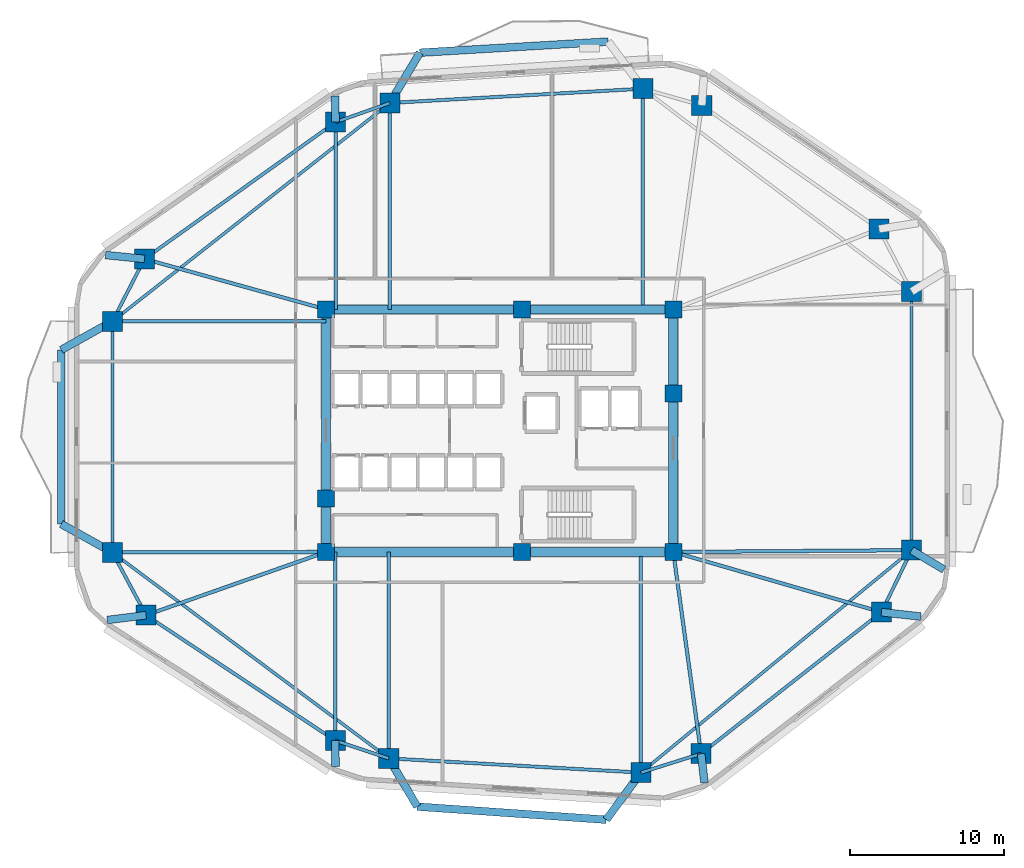
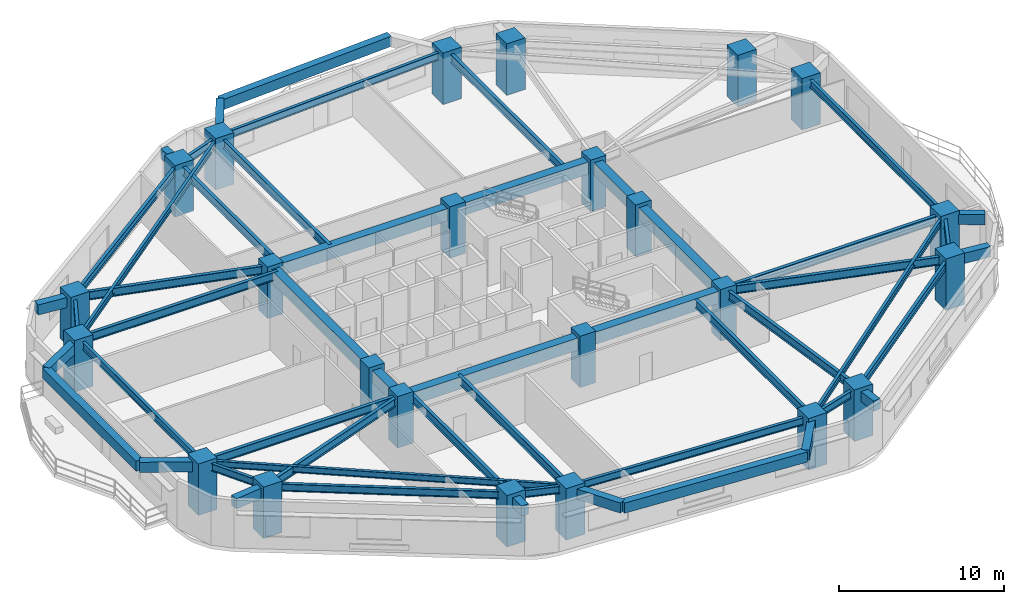
# One storey, part 1 of 9: 52 beams, 24 columns.
"""IFC4 building model written with IfcOpenShell, lengths in metres."""

import ifcopenshell
import ifcopenshell.guid

model = None  # the IFC model being written
_history = None  # IfcOwnerHistory: only IFC2X3 demands one
_inside = {}  # id of a spatial element -> (the spatial element, [elements in it])
_under = {}  # id of a project, library or spatial element -> (it, [spatial elements below it])
_declared = {}  # id of a project -> (the project, [libraries it declares])
_typed = {}  # id of a type object -> (the type object, [elements of that type])
_made_of = {}  # id of a material, layer set ... -> (it, [elements and type objects made of it])


def new_model(schema):
    """Start an empty IFC model of exactly this schema.

    Asked for "IFC4X3", IfcOpenShell would pick the latest addendum, in which some entities
    have other attributes; the version numbers below select the first issue.
    IFC2X3 requires an IfcOwnerHistory on every rooted entity: one is made here for all.
    """
    global model, _history
    if schema == "IFC4X3":
        model = ifcopenshell.file(schema_version=(4, 3, 0, 0))
    else:
        model = ifcopenshell.file(schema=schema)
    _inside.clear()
    _under.clear()
    _declared.clear()
    _typed.clear()
    _made_of.clear()
    _history = None
    if model.schema == "IFC2X3":
        org = make("IfcOrganization", Name="unknown")
        user = make(
            "IfcPersonAndOrganization",
            ThePerson=make("IfcPerson", FamilyName="unknown"),
            TheOrganization=org,
        )
        app = make(
            "IfcApplication",
            ApplicationDeveloper=org,
            Version="unknown",
            ApplicationFullName="unknown",
            ApplicationIdentifier="unknown",
        )
        _history = make(
            "IfcOwnerHistory",
            OwningUser=user,
            OwningApplication=app,
            ChangeAction="ADDED",
            CreationDate=0,
        )
    return model


def make(cls, **values):
    """One entity of the class cls with the attributes given. An attribute that is None is left unset."""
    return model.create_entity(
        cls, **{name: value for name, value in values.items() if value is not None}
    )


def rooted(cls, **values):
    """An entity with a GlobalId (a new one), such as an element, a storey or a relation."""
    return make(cls, GlobalId=ifcopenshell.guid.new(), OwnerHistory=_history, **values)


def si_unit(unit_type, name, prefix=None):
    """IfcSIUnit, for example si_unit("LENGTHUNIT", "METRE", prefix="MILLI")."""
    return make("IfcSIUnit", UnitType=unit_type, Prefix=prefix, Name=name)


def assignment(units):
    """IfcUnitAssignment: the units of a project."""
    return None if units is None else make("IfcUnitAssignment", Units=units)


def point(xyz):
    """IfcCartesianPoint."""
    return None if xyz is None else make("IfcCartesianPoint", Coordinates=xyz)


def direction(xyz):
    """IfcDirection."""
    return None if xyz is None else make("IfcDirection", DirectionRatios=xyz)


def frame(location, z_axis=None, x_axis=None):
    """IfcAxis2Placement3D, a coordinate frame: its origin and axes. An axis left out is left unset."""
    return make(
        "IfcAxis2Placement3D",
        Location=point(location),
        Axis=direction(z_axis),
        RefDirection=direction(x_axis),
    )


def frame_2d(location, x_axis=None):
    """IfcAxis2Placement2D, a coordinate frame in the plane: its origin and x axis."""
    return make(
        "IfcAxis2Placement2D", Location=point(location), RefDirection=direction(x_axis)
    )


def origin():
    """The frame at (0, 0, 0) with its axes left unset."""
    return frame((0.0, 0.0, 0.0))


def origin_2d():
    """The frame at (0, 0) in the plane with its x axis left unset."""
    return frame_2d((0.0, 0.0))


def place(relative_to, where):
    """IfcLocalPlacement: puts the frame where relative to a parent placement (None: the world)."""
    return make(
        "IfcLocalPlacement", PlacementRelTo=relative_to, RelativePlacement=where
    )


def context(
    kind, dimensions, precision=None, world=None, true_north=None, identifier=None
):
    """IfcGeometricRepresentationContext, for example the 3D "Model" context."""
    return make(
        "IfcGeometricRepresentationContext",
        ContextIdentifier=identifier,
        ContextType=kind,
        CoordinateSpaceDimension=dimensions,
        Precision=precision,
        WorldCoordinateSystem=world,
        TrueNorth=true_north,
    )


def subcontext(parent, identifier, kind, view, scale=None):
    """IfcGeometricRepresentationSubContext, for example "Body" below "Model"."""
    return make(
        "IfcGeometricRepresentationSubContext",
        ContextIdentifier=identifier,
        ContextType=kind,
        ParentContext=parent,
        TargetScale=scale,
        TargetView=view,
    )


def project(units=None, contexts=None):
    """IfcProject with its units and contexts."""
    return rooted(
        "IfcProject",
        Name="project",
        RepresentationContexts=contexts,
        UnitsInContext=assignment(units),
    )


def spatial(cls, under=None, at=None, **own):
    """A site, building, storey or space (cls), placed at a placement, below another one or the project."""
    s = rooted(cls, ObjectPlacement=at, **own)
    if under is not None:
        _under.setdefault(under.id(), (under, []))[1].append(s)
    return s


def profile(cls, at=None, kind="AREA", **sizes):
    """A parametric profile (cls). Its sizes go by their IFC names, for example OverallWidth=200.0."""
    return make(cls, ProfileType=kind, Position=at, **sizes)


def rectangle(**sizes):
    """IfcRectangleProfileDef."""
    return profile("IfcRectangleProfileDef", **sizes)


def i_section(**sizes):
    """IfcIShapeProfileDef."""
    return profile("IfcIShapeProfileDef", **sizes)


def extrude(swept, where, along, depth):
    """IfcExtrudedAreaSolid: the profile swept, set in the frame where, extruded along a direction by depth."""
    return make(
        "IfcExtrudedAreaSolid",
        SweptArea=swept,
        Position=where,
        ExtrudedDirection=direction(along),
        Depth=depth,
    )


def shape(context_of_items, identifier, shape_type, items):
    """IfcShapeRepresentation: the items that make up one representation, for example the "Body"."""
    return make(
        "IfcShapeRepresentation",
        ContextOfItems=context_of_items,
        RepresentationIdentifier=identifier,
        RepresentationType=shape_type,
        Items=items,
    )


def material(Name=None, Category=None):
    """IfcMaterial."""
    return make("IfcMaterial", Name=Name, Category=Category)


def material_profile(
    of_material, cross_section, Name=None, Category=None, Priority=None
):
    """IfcMaterialProfile: a cross section and its material."""
    return make(
        "IfcMaterialProfile",
        Name=Name,
        Material=of_material,
        Profile=cross_section,
        Priority=Priority,
        Category=Category,
    )


def profile_set(profiles, Name=None, composite=None):
    """IfcMaterialProfileSet."""
    return make(
        "IfcMaterialProfileSet",
        Name=Name,
        MaterialProfiles=profiles,
        CompositeProfile=composite,
    )


def made_of(thing, what):
    """Note that an element or type object is made of a material, layer set ...; save() writes the relation."""
    if what is not None:
        _made_of.setdefault(what.id(), (what, []))[1].append(thing)
    return thing


def type_object(cls, material=None, **own):
    """A type object (cls), such as IfcWallType, which elements share."""
    return made_of(rooted(cls, **own), material)


def element(
    cls,
    number,
    at=None,
    inside=None,
    cuts=None,
    type_object=None,
    material=None,
    context=None,
    identifier="Body",
    shape_type=None,
    held_by="IfcProductDefinitionShape",
    body=None,
    shapes=None,
    **own,
):
    """One element of the class cls, such as IfcWall. Its Tag is "e" and its number.

    at: its placement. inside: the storey or other place that contains it. cuts: it is an
    opening in that element (IfcRelVoidsElement). A single representation is given by context,
    identifier, shape_type and body (its items); several are given by shapes. held_by: the class
    of the entity that holds the representations. save() writes the other relations.
    """
    e = rooted(cls, Tag="e%d" % number, ObjectPlacement=at, **own)
    if body is not None:
        shapes = [shape(context, identifier, shape_type, body)]
    if shapes is not None:
        e.Representation = make(held_by, Representations=shapes)
    if inside is not None:
        _inside.setdefault(inside.id(), (inside, []))[1].append(e)
    if cuts is not None:
        rooted(
            "IfcRelVoidsElement", RelatingBuildingElement=cuts, RelatedOpeningElement=e
        )
    if type_object is not None:
        _typed.setdefault(type_object.id(), (type_object, []))[1].append(e)
    return made_of(e, material)


def aggregate(whole, parts):
    """IfcRelAggregates: a whole, such as a stair, and the parts it consists of."""
    return rooted("IfcRelAggregates", RelatingObject=whole, RelatedObjects=parts)


def save(model, path):
    """Write the relations noted so far, then the file.

    IfcRelAggregates (storeys below a building ...), IfcRelContainedInSpatialStructure (elements
    in a storey), IfcRelDefinesByType, IfcRelAssociatesMaterial and IfcRelDeclares: one each for
    every whole, place, type object, material and project.
    """
    for whole, parts in _under.values():
        aggregate(whole, parts)
    for where, things in _inside.values():
        rooted(
            "IfcRelContainedInSpatialStructure",
            RelatedElements=things,
            RelatingStructure=where,
        )
    for kind, things in _typed.values():
        rooted("IfcRelDefinesByType", RelatedObjects=things, RelatingType=kind)
    for what, things in _made_of.values():
        rooted("IfcRelAssociatesMaterial", RelatedObjects=things, RelatingMaterial=what)
    for by, libraries in _declared.values():
        rooted("IfcRelDeclares", RelatingContext=by, RelatedDefinitions=libraries)
    model.write(path)


model = new_model("IFC4")

# Units and contexts
model_context = context("Model", 3, precision=1e-05, world=origin(), true_north=direction((0.0, 1.0)))
body_context = subcontext(model_context, "Body", "Model", "MODEL_VIEW")
ifc_project = project(units=[si_unit("LENGTHUNIT", "METRE"), si_unit("AREAUNIT", "SQUARE_METRE"), si_unit("VOLUMEUNIT", "CUBIC_METRE"), si_unit("PLANEANGLEUNIT", "RADIAN"), si_unit("MASSUNIT", "GRAM", prefix="KILO")], contexts=[model_context])

# Site, building, storey
site_placement = place(None, origin())
site = spatial("IfcSite", under=ifc_project, at=site_placement, CompositionType="ELEMENT")
building_placement = place(site_placement, origin())
building = spatial("IfcBuilding", under=site, at=building_placement, Name="Zulverin Broadcast Headquarters", CompositionType="ELEMENT")
storey_placement = place(building_placement, frame((0.0, 0.0, 82.0)))
storey = spatial("IfcBuildingStorey", under=building, at=storey_placement, Name="L20", CompositionType="ELEMENT", Elevation=82.0)

# Columns
ifc_material_1 = material(Name="Concrete C60/75", Category="concrete")
ifc_material_profile_1 = material_profile(ifc_material_1, rectangle(XDim=1.300048828125, YDim=1.300048828125, at=origin_2d()), Name="Concrete C60/75", Category="concrete")
ifc_profile_set_1 = profile_set([ifc_material_profile_1], Name="Concrete C60/75")
column_type_1 = type_object("IfcColumnType", Name="COL-RC-1300", PredefinedType="COLUMN", material=ifc_profile_set_1)
for number, where, z_axis, x_axis, name in (
    (1, (29.79638671875, 3.922119140625, 0.0), (0.0, 0.0, 1.0), (1.0, 0.0, 0.0), "L20 Perimeter Column T01"),
    (2, (46.175048828125, 2.997802734375, 0.0), (0.0, 0.0, 1.0), (1.0, 0.0, 0.0), "L20 Perimeter Column T02"),
    (3, (50.08056640625, 4.22509765625, 0.0), (0.0, 0.0, 1.0), (1.0, 0.0, 0.0), "L20 Perimeter Column T03"),
    (4, (61.79296875, 13.416259765625, 0.0), (0.0, 0.0, 1.0), (1.0, 0.0, 0.0), "L20 Perimeter Column T04"),
    (5, (63.75, 17.439697265625, 0.0), (0.0, 0.0, 1.0), (1.0, 0.0, 0.0), "L20 Perimeter Column T05"),
    (6, (63.75, 34.235107421875, 0.0), (0.0, 0.0, 1.0), (1.0, 0.0, 0.0), "L20 Perimeter Column T06"),
    (7, (61.630126953125, 38.298583984375, 0.0), (0.0, 0.0, 1.0), (1.0, 0.0, 0.0), "L20 Perimeter Column T07"),
    (8, (50.121826171875, 46.325927734375, 0.0), (0.0, 0.0, 1.0), (1.0, 0.0, 0.0), "L20 Perimeter Column T08"),
    (9, (46.30224609375, 47.4091796875, 0.0), (0.0, 0.0, 1.0), (1.0, 0.0, 0.0), "L20 Perimeter Column T09"),
    (10, (29.873779296875, 46.482177734375, 0.0), (0.0, 0.0, 1.0), (1.0, 0.0, 0.0), "L20 Perimeter Column T10"),
    (11, (26.344482421875, 45.23828125, 0.0), (0.0, 0.0, 1.0), (1.0, 0.0, 0.0), "L20 Perimeter Column T11"),
    (12, (13.934326171875, 36.353759765625, 0.0), (0.0, 0.0, 1.0), (1.0, 0.0, 0.0), "L20 Perimeter Column T12"),
    (13, (11.85009765625, 32.298095703125, 0.0), (0.0, 0.0, 1.0), (1.0, 0.0, 0.0), "L20 Perimeter Column T13"),
    (14, (11.85009765625, 17.297607421875, 0.0), (0.0, 0.0, 1.0), (1.0, 0.0, 0.0), "L20 Perimeter Column T14"),
    (15, (14.0390625, 13.219970703125, 0.0), (0.0, 0.0, 1.0), (1.0, 0.0, 0.0), "L20 Perimeter Column T15"),
    (16, (26.3251953125, 5.075927734375, 0.0), (0.0, 0.0, 1.0), (1.0, 0.0, 0.0), "L20 Perimeter Column T16"),
):
    element("IfcColumn", number, at=place(storey_placement, frame(where, z_axis=z_axis, x_axis=x_axis)), inside=storey, type_object=column_type_1, Name=name, PredefinedType="COLUMN", context=body_context, shape_type="SweptSolid", body=[
        extrude(rectangle(XDim=1.300048828125, YDim=1.300048828125, at=origin_2d()), origin(), (0.0, 0.0, 1.0), 3.800048828125),
    ])
ifc_material_profile_2 = material_profile(ifc_material_1, rectangle(XDim=1.10009765625, YDim=1.10009765625, at=origin_2d()), Name="Concrete C60/75", Category="concrete")
ifc_profile_set_2 = profile_set([ifc_material_profile_2], Name="Concrete C60/75")
column_type_2 = type_object("IfcColumnType", Name="PIL-RC-1100", PredefinedType="PILASTER", material=ifc_profile_set_2)
for number, where, z_axis, x_axis, name in (
    (17, (25.72509765625, 17.324951171875, 0.0), (0.0, 0.0, 1.0), (1.0, 0.0, 0.0), "L20 Core Pilaster K01"),
    (18, (38.449951171875, 17.324951171875, 0.0), (0.0, 0.0, 1.0), (1.0, 0.0, 0.0), "L20 Core Pilaster K02"),
    (19, (48.27490234375, 17.324951171875, 0.0), (0.0, 0.0, 1.0), (1.0, 0.0, 0.0), "L20 Core Pilaster K03"),
    (20, (48.27490234375, 27.6201171875, 0.0), (0.0, 0.0, 1.0), (1.0, 0.0, 0.0), "L20 Core Pilaster K04"),
    (21, (48.27490234375, 33.074951171875, 0.0), (0.0, 0.0, 1.0), (1.0, 0.0, 0.0), "L20 Core Pilaster K05"),
    (22, (38.449951171875, 33.074951171875, 0.0), (0.0, 0.0, 1.0), (1.0, 0.0, 0.0), "L20 Core Pilaster K06"),
    (23, (25.72509765625, 33.074951171875, 0.0), (0.0, 0.0, 1.0), (1.0, 0.0, 0.0), "L20 Core Pilaster K07"),
    (24, (25.72509765625, 20.800048828125, 0.0), (0.0, 0.0, 1.0), (1.0, 0.0, 0.0), "L20 Core Pilaster K08"),
):
    element("IfcColumn", number, at=place(storey_placement, frame(where, z_axis=z_axis, x_axis=x_axis)), inside=storey, type_object=column_type_2, Name=name, PredefinedType="PILASTER", context=body_context, shape_type="SweptSolid", body=[
        extrude(rectangle(XDim=1.10009765625, YDim=1.10009765625, at=origin_2d()), origin(), (0.0, 0.0, 1.0), 3.800048828125),
    ])

# Beams
ifc_material_profile_3 = material_profile(ifc_material_1, rectangle(XDim=0.60009765625, YDim=0.89990234375, at=origin_2d()), Name="Concrete C60/75", Category="concrete")
ifc_profile_set_3 = profile_set([ifc_material_profile_3], Name="Concrete C60/75")
beam_type_1 = type_object("IfcBeamType", Name="BM-CB-600x900", PredefinedType="LINTEL", material=ifc_profile_set_3)
beam_1_placement = place(storey_placement, frame((25.72509765625, 17.324951171875, 3.074951171875), z_axis=(1.0, 0.0, 0.0), x_axis=(0.0, 1.0, 0.0)))
element("IfcBeam", 25, at=beam_1_placement, inside=storey, type_object=beam_type_1, Name="L20 Core Coupling Girder K01-K02", PredefinedType="LINTEL", context=body_context, shape_type="SweptSolid", body=[
    extrude(rectangle(XDim=0.60009765625, YDim=0.89990234375, at=origin_2d()), origin(), (0.0, 0.0, 1.0), 12.724853515625),
])
beam_2_placement = place(storey_placement, frame((38.449951171875, 17.324951171875, 3.074951171875), z_axis=(1.0, 0.0, 0.0), x_axis=(0.0, 1.0, 0.0)))
element("IfcBeam", 26, at=beam_2_placement, inside=storey, type_object=beam_type_1, Name="L20 Core Coupling Girder K02-K03", PredefinedType="LINTEL", context=body_context, shape_type="SweptSolid", body=[
    extrude(rectangle(XDim=0.60009765625, YDim=0.89990234375, at=origin_2d()), origin(), (0.0, 0.0, 1.0), 9.824951171875),
])
beam_3_placement = place(storey_placement, frame((48.27490234375, 17.324951171875, 3.074951171875), z_axis=(0.0, 1.0, 0.0), x_axis=(-1.0, 0.0, 0.0)))
element("IfcBeam", 27, at=beam_3_placement, inside=storey, type_object=beam_type_1, Name="L20 Core Coupling Girder K03-K04", PredefinedType="LINTEL", context=body_context, shape_type="SweptSolid", body=[
    extrude(rectangle(XDim=0.60009765625, YDim=0.89990234375, at=origin_2d()), origin(), (0.0, 0.0, 1.0), 10.295166015625),
])
beam_4_placement = place(storey_placement, frame((48.27490234375, 27.6201171875, 3.074951171875), z_axis=(0.0, 1.0, 0.0), x_axis=(-1.0, 0.0, 0.0)))
element("IfcBeam", 28, at=beam_4_placement, inside=storey, type_object=beam_type_1, Name="L20 Core Coupling Girder K04-K05", PredefinedType="LINTEL", context=body_context, shape_type="SweptSolid", body=[
    extrude(rectangle(XDim=0.60009765625, YDim=0.89990234375, at=origin_2d()), origin(), (0.0, 0.0, 1.0), 5.454833984375),
])
beam_5_placement = place(storey_placement, frame((48.27490234375, 33.074951171875, 3.074951171875), z_axis=(-1.0, 0.0, 0.0), x_axis=(0.0, -1.0, 0.0)))
element("IfcBeam", 29, at=beam_5_placement, inside=storey, type_object=beam_type_1, Name="L20 Core Coupling Girder K05-K06", PredefinedType="LINTEL", context=body_context, shape_type="SweptSolid", body=[
    extrude(rectangle(XDim=0.60009765625, YDim=0.89990234375, at=origin_2d()), origin(), (0.0, 0.0, 1.0), 9.824951171875),
])
beam_6_placement = place(storey_placement, frame((38.449951171875, 33.074951171875, 3.074951171875), z_axis=(-1.0, 0.0, 0.0), x_axis=(0.0, -1.0, 0.0)))
element("IfcBeam", 30, at=beam_6_placement, inside=storey, type_object=beam_type_1, Name="L20 Core Coupling Girder K06-K07", PredefinedType="LINTEL", context=body_context, shape_type="SweptSolid", body=[
    extrude(rectangle(XDim=0.60009765625, YDim=0.89990234375, at=origin_2d()), origin(), (0.0, 0.0, 1.0), 12.724853515625),
])
beam_7_placement = place(storey_placement, frame((25.72509765625, 33.074951171875, 3.074951171875), z_axis=(0.0, -1.0, 0.0), x_axis=(1.0, 0.0, 0.0)))
element("IfcBeam", 31, at=beam_7_placement, inside=storey, type_object=beam_type_1, Name="L20 Core Coupling Girder K07-K08", PredefinedType="LINTEL", context=body_context, shape_type="SweptSolid", body=[
    extrude(rectangle(XDim=0.60009765625, YDim=0.89990234375, at=origin_2d()), origin(), (0.0, 0.0, 1.0), 12.27490234375),
])
beam_8_placement = place(storey_placement, frame((25.72509765625, 20.800048828125, 3.074951171875), z_axis=(0.0, -1.0, 0.0), x_axis=(1.0, 0.0, 0.0)))
element("IfcBeam", 32, at=beam_8_placement, inside=storey, type_object=beam_type_1, Name="L20 Core Coupling Girder K08-K01", PredefinedType="LINTEL", context=body_context, shape_type="SweptSolid", body=[
    extrude(rectangle(XDim=0.60009765625, YDim=0.89990234375, at=origin_2d()), origin(), (0.0, 0.0, 1.0), 3.47509765625),
])
ifc_material_2 = material(Name="Concrete C40/50", Category="concrete")
ifc_material_profile_4 = material_profile(ifc_material_2, rectangle(XDim=0.5, YDim=0.75, at=origin_2d()), Name="Concrete C40/50", Category="concrete")
ifc_profile_set_4 = profile_set([ifc_material_profile_4], Name="Concrete C40/50")
beam_type_2 = type_object("IfcBeamType", Name="BM-RC-500x750", PredefinedType="BEAM", material=ifc_profile_set_4)
beam_9_placement = place(storey_placement, frame((50.08056640625, 4.22509765625, 3.14990234375), z_axis=(0.115916621896, -0.99325894749, 0.0), x_axis=(0.99325894749, 0.115916621896, 0.0)))
element("IfcBeam", 33, at=beam_9_placement, inside=storey, type_object=beam_type_2, Name="L21 Plate Overhang Back-Spanned Beam OVR-03", PredefinedType="BEAM", context=body_context, shape_type="SweptSolid", body=[
    extrude(rectangle(XDim=0.5, YDim=0.75, at=origin_2d()), origin(), (0.0, 0.0, 1.0), 1.899658203125),
])
beam_10_placement = place(storey_placement, frame((61.79296875, 13.416259765625, 3.14990234375), z_axis=(0.993797661948, -0.111203449166, 0.0), x_axis=(0.111203449166, 0.993797661948, 0.0)))
element("IfcBeam", 34, at=beam_10_placement, inside=storey, type_object=beam_type_2, Name="L21 Plate Overhang Back-Spanned Beam OVR-04", PredefinedType="BEAM", context=body_context, shape_type="SweptSolid", body=[
    extrude(rectangle(XDim=0.5, YDim=0.75, at=origin_2d()), origin(), (0.0, 0.0, 1.0), 2.568603515625),
])
beam_11_placement = place(storey_placement, frame((63.75, 17.439697265625, 3.14990234375), z_axis=(0.858161199639, -0.513380322407, 0.0), x_axis=(0.513380322407, 0.858161199639, 0.0)))
element("IfcBeam", 35, at=beam_11_placement, inside=storey, type_object=beam_type_2, Name="L21 Plate Overhang Back-Spanned Beam OVR-05", PredefinedType="BEAM", context=body_context, shape_type="SweptSolid", body=[
    extrude(rectangle(XDim=0.5, YDim=0.75, at=origin_2d()), origin(), (0.0, 0.0, 1.0), 2.447265625),
])
beam_12_placement = place(storey_placement, frame((26.344482421875, 45.23828125, 3.14990234375), z_axis=(-0.025024345209, 0.999686842039, 0.0), x_axis=(-0.999686842039, -0.025024345209, 0.0)))
element("IfcBeam", 36, at=beam_12_placement, inside=storey, type_object=beam_type_2, Name="L21 Plate Overhang Back-Spanned Beam OVR-11", PredefinedType="BEAM", context=body_context, shape_type="SweptSolid", body=[
    extrude(rectangle(XDim=0.5, YDim=0.75, at=origin_2d()), origin(), (0.0, 0.0, 1.0), 1.707275390625),
])
beam_13_placement = place(storey_placement, frame((13.934326171875, 36.353759765625, 3.14990234375), z_axis=(-0.995008621602, 0.09978899207, 0.0), x_axis=(-0.09978899207, -0.995008621602, 0.0)))
element("IfcBeam", 37, at=beam_13_placement, inside=storey, type_object=beam_type_2, Name="L21 Plate Overhang Back-Spanned Beam OVR-12", PredefinedType="BEAM", context=body_context, shape_type="SweptSolid", body=[
    extrude(rectangle(XDim=0.5, YDim=0.75, at=origin_2d()), origin(), (0.0, 0.0, 1.0), 2.5419921875),
])
beam_14_placement = place(storey_placement, frame((14.0390625, 13.219970703125, 3.14990234375), z_axis=(-0.992258640565, -0.124188526941, 0.0), x_axis=(0.124188526941, -0.992258640565, 0.0)))
element("IfcBeam", 38, at=beam_14_placement, inside=storey, type_object=beam_type_2, Name="L21 Plate Overhang Back-Spanned Beam OVR-15", PredefinedType="BEAM", context=body_context, shape_type="SweptSolid", body=[
    extrude(rectangle(XDim=0.5, YDim=0.75, at=origin_2d()), origin(), (0.0, 0.0, 1.0), 2.5400390625),
])
beam_15_placement = place(storey_placement, frame((26.3251953125, 5.075927734375, 3.14990234375), z_axis=(0.006204786761, -0.999980750125, 0.0), x_axis=(0.999980750125, 0.006204786761, 0.0)))
element("IfcBeam", 39, at=beam_15_placement, inside=storey, type_object=beam_type_2, Name="L21 Plate Overhang Back-Spanned Beam OVR-16", PredefinedType="BEAM", context=body_context, shape_type="SweptSolid", body=[
    extrude(rectangle(XDim=0.5, YDim=0.75, at=origin_2d()), origin(), (0.0, 0.0, 1.0), 1.69189453125),
])
beam_16_placement = place(storey_placement, frame((29.873779296875, 46.482177734375, 3.14990234375), z_axis=(0.511024077234, 0.859566397952, 0.0), x_axis=(-0.859566397952, 0.511024077234, 0.0)))
element("IfcBeam", 40, at=beam_16_placement, inside=storey, type_object=beam_type_2, Name="L21 Balcony Column-Framed Cantilever BAL_N-2", PredefinedType="BEAM", context=body_context, shape_type="SweptSolid", body=[
    extrude(rectangle(XDim=0.5, YDim=0.75, at=origin_2d()), origin(), (0.0, 0.0, 1.0), 3.800048828125),
])
beam_17_placement = place(storey_placement, frame((44.049072265625, 50.46923828125, 3.14990234375), z_axis=(-0.998269148199, -0.058810779227, 0.0), x_axis=(0.058810779227, -0.998269148199, 0.0)))
element("IfcBeam", 41, at=beam_17_placement, inside=storey, type_object=beam_type_2, Name="L21 Balcony Outer Edge Trimmer Beam BAL_N", PredefinedType="BEAM", context=body_context, shape_type="SweptSolid", body=[
    extrude(rectangle(XDim=0.5, YDim=0.75, at=origin_2d()), origin(), (0.0, 0.0, 1.0), 12.254638671875),
])
beam_18_placement = place(storey_placement, frame((11.85009765625, 32.298095703125, 3.14990234375), z_axis=(-0.873763019306, -0.486351915893, 0.0), x_axis=(0.486351915893, -0.873763019306, 0.0)))
element("IfcBeam", 42, at=beam_18_placement, inside=storey, type_object=beam_type_2, Name="L21 Balcony Column-Framed Cantilever BAL_W-1", PredefinedType="BEAM", context=body_context, shape_type="SweptSolid", body=[
    extrude(rectangle(XDim=0.5, YDim=0.75, at=origin_2d()), origin(), (0.0, 0.0, 1.0), 3.800048828125),
])
beam_19_placement = place(storey_placement, frame((11.85009765625, 17.297607421875, 3.14990234375), z_axis=(-0.874363278793, 0.485271940975, 0.0), x_axis=(-0.485271940975, -0.874363278793, 0.0)))
element("IfcBeam", 43, at=beam_19_placement, inside=storey, type_object=beam_type_2, Name="L21 Balcony Column-Framed Cantilever BAL_W-2", PredefinedType="BEAM", context=body_context, shape_type="SweptSolid", body=[
    extrude(rectangle(XDim=0.5, YDim=0.75, at=origin_2d()), origin(), (0.0, 0.0, 1.0), 3.7998046875),
])
beam_20_placement = place(storey_placement, frame((8.52978515625, 30.449951171875, 3.14990234375), z_axis=(-0.000194304709, -0.999999981123, 0.0), x_axis=(0.999999981123, -0.000194304709, 0.0)))
element("IfcBeam", 44, at=beam_20_placement, inside=storey, type_object=beam_type_2, Name="L21 Balcony Outer Edge Trimmer Beam BAL_W", PredefinedType="BEAM", context=body_context, shape_type="SweptSolid", body=[
    extrude(rectangle(XDim=0.5, YDim=0.75, at=origin_2d()), origin(), (0.0, 0.0, 1.0), 11.308349609375),
])
beam_21_placement = place(storey_placement, frame((29.79638671875, 3.922119140625, 3.14990234375), z_axis=(0.50927124685, -0.860606063848, 0.0), x_axis=(0.860606063848, 0.50927124685, 0.0)))
element("IfcBeam", 45, at=beam_21_placement, inside=storey, type_object=beam_type_2, Name="L21 Balcony Column-Framed Cantilever BAL_S-1", PredefinedType="BEAM", context=body_context, shape_type="SweptSolid", body=[
    extrude(rectangle(XDim=0.5, YDim=0.75, at=origin_2d()), origin(), (0.0, 0.0, 1.0), 3.641845703125),
])
beam_22_placement = place(storey_placement, frame((46.175048828125, 2.997802734375, 3.14990234375), z_axis=(-0.592479980496, -0.805585174088, 0.0), x_axis=(0.805585174088, -0.592479980496, 0.0)))
element("IfcBeam", 46, at=beam_22_placement, inside=storey, type_object=beam_type_2, Name="L21 Balcony Column-Framed Cantilever BAL_S-2", PredefinedType="BEAM", context=body_context, shape_type="SweptSolid", body=[
    extrude(rectangle(XDim=0.5, YDim=0.75, at=origin_2d()), origin(), (0.0, 0.0, 1.0), 3.800048828125),
])
beam_23_placement = place(storey_placement, frame((31.651123046875, 0.787841796875, 3.14990234375), z_axis=(0.997602675733, -0.069201888483, 0.0), x_axis=(0.069201888483, 0.997602675733, 0.0)))
element("IfcBeam", 47, at=beam_23_placement, inside=storey, type_object=beam_type_2, Name="L21 Balcony Outer Edge Trimmer Beam BAL_S", PredefinedType="BEAM", context=body_context, shape_type="SweptSolid", body=[
    extrude(rectangle(XDim=0.5, YDim=0.75, at=origin_2d()), origin(), (0.0, 0.0, 1.0), 12.302001953125),
])
ifc_material_3 = material(Name="Structural steel S355JR", Category="steel")
ifc_material_profile_5 = material_profile(ifc_material_3, i_section(OverallWidth=0.19287109375, OverallDepth=0.46728515625, WebThickness=0.011474609375, FlangeThickness=0.01953125, at=origin_2d()), Name="Structural steel S355JR", Category="steel")
ifc_profile_set_5 = profile_set([ifc_material_profile_5], Name="Structural steel S355JR")
beam_type_3 = type_object("IfcBeamType", Name="BM-UB-457", PredefinedType="JOIST", material=ifc_profile_set_5)
beam_24_placement = place(storey_placement, frame((46.175048828125, 2.997802734375, 3.29150390625), z_axis=(0.772611370623, 0.634879256224, 0.0), x_axis=(-0.634879256224, 0.772611370623, 0.0)))
element("IfcBeam", 48, at=beam_24_placement, inside=storey, type_object=beam_type_3, Name="L20 Chordal Floor Joist J-01", PredefinedType="JOIST", context=body_context, shape_type="SweptSolid", body=[
    extrude(i_section(OverallWidth=0.19287109375, OverallDepth=0.46728515625, WebThickness=0.011474609375, FlangeThickness=0.01953125, at=origin_2d()), origin(), (0.0, 0.0, 1.0), 22.74755859375),
])
beam_25_placement = place(storey_placement, frame((29.873779296875, 46.482177734375, 3.29150390625), z_axis=(-0.78583902739, -0.618431098047, 0.0), x_axis=(0.618431098047, -0.78583902739, 0.0)))
element("IfcBeam", 49, at=beam_25_placement, inside=storey, type_object=beam_type_3, Name="L20 Chordal Floor Joist J-03", PredefinedType="JOIST", context=body_context, shape_type="SweptSolid", body=[
    extrude(i_section(OverallWidth=0.19287109375, OverallDepth=0.46728515625, WebThickness=0.011474609375, FlangeThickness=0.01953125, at=origin_2d()), origin(), (0.0, 0.0, 1.0), 22.935546875),
])
beam_26_placement = place(storey_placement, frame((11.85009765625, 17.297607421875, 3.29150390625), z_axis=(0.801802688634, -0.59758886243, 0.0), x_axis=(0.59758886243, 0.801802688634, 0.0)))
element("IfcBeam", 50, at=beam_26_placement, inside=storey, type_object=beam_type_3, Name="L20 Chordal Floor Joist J-04", PredefinedType="JOIST", context=body_context, shape_type="SweptSolid", body=[
    extrude(i_section(OverallWidth=0.19287109375, OverallDepth=0.46728515625, WebThickness=0.011474609375, FlangeThickness=0.01953125, at=origin_2d()), origin(), (0.0, 0.0, 1.0), 22.38232421875),
])
ifc_material_profile_6 = material_profile(ifc_material_3, i_section(OverallWidth=0.2119140625, OverallDepth=0.54443359375, WebThickness=0.0126953125, FlangeThickness=0.021240234375, at=origin_2d()), Name="Structural steel S355JR", Category="steel")
ifc_profile_set_6 = profile_set([ifc_material_profile_6], Name="Structural steel S355JR")
beam_type_4 = type_object("IfcBeamType", Name="BM-UB-533", PredefinedType="SPANDREL", material=ifc_profile_set_6)
beam_27_placement = place(storey_placement, frame((29.79638671875, 3.922119140625, 3.252685546875), z_axis=(0.998411385104, -0.056344530297, 0.0), x_axis=(0.056344530297, 0.998411385104, 0.0)))
element("IfcBeam", 51, at=beam_27_placement, inside=storey, type_object=beam_type_4, Name="L20 Perimeter Spandrel Beam SP-01", PredefinedType="SPANDREL", context=body_context, shape_type="SweptSolid", body=[
    extrude(i_section(OverallWidth=0.2119140625, OverallDepth=0.54443359375, WebThickness=0.0126953125, FlangeThickness=0.021240234375, at=origin_2d()), origin(), (0.0, 0.0, 1.0), 16.40478515625),
])
beam_28_placement = place(storey_placement, frame((46.175048828125, 2.997802734375, 3.252685546875), z_axis=(0.954004438448, 0.299792480595, 0.0), x_axis=(-0.299792480595, 0.954004438448, 0.0)))
element("IfcBeam", 52, at=beam_28_placement, inside=storey, type_object=beam_type_4, Name="L20 Perimeter Spandrel Beam SP-02", PredefinedType="SPANDREL", context=body_context, shape_type="SweptSolid", body=[
    extrude(i_section(OverallWidth=0.2119140625, OverallDepth=0.54443359375, WebThickness=0.0126953125, FlangeThickness=0.021240234375, at=origin_2d()), origin(), (0.0, 0.0, 1.0), 4.09375),
])
beam_29_placement = place(storey_placement, frame((50.08056640625, 4.22509765625, 3.252685546875), z_axis=(0.786691476208, 0.617346354376, 0.0), x_axis=(-0.617346354376, 0.786691476208, 0.0)))
element("IfcBeam", 53, at=beam_29_placement, inside=storey, type_object=beam_type_4, Name="L20 Perimeter Spandrel Beam SP-03", PredefinedType="SPANDREL", context=body_context, shape_type="SweptSolid", body=[
    extrude(i_section(OverallWidth=0.2119140625, OverallDepth=0.54443359375, WebThickness=0.0126953125, FlangeThickness=0.021240234375, at=origin_2d()), origin(), (0.0, 0.0, 1.0), 14.88818359375),
])
beam_30_placement = place(storey_placement, frame((61.79296875, 13.416259765625, 3.252685546875), z_axis=(0.437408475872, 0.899262934428, 0.0), x_axis=(-0.899262934428, 0.437408475872, 0.0)))
element("IfcBeam", 54, at=beam_30_placement, inside=storey, type_object=beam_type_4, Name="L20 Perimeter Spandrel Beam SP-04", PredefinedType="SPANDREL", context=body_context, shape_type="SweptSolid", body=[
    extrude(i_section(OverallWidth=0.2119140625, OverallDepth=0.54443359375, WebThickness=0.0126953125, FlangeThickness=0.021240234375, at=origin_2d()), origin(), (0.0, 0.0, 1.0), 4.47412109375),
])
beam_31_placement = place(storey_placement, frame((63.75, 17.439697265625, 3.252685546875), z_axis=(0.0, 1.0, 0.0), x_axis=(-1.0, 0.0, 0.0)))
element("IfcBeam", 55, at=beam_31_placement, inside=storey, type_object=beam_type_4, Name="L20 Perimeter Spandrel Beam SP-05", PredefinedType="SPANDREL", context=body_context, shape_type="SweptSolid", body=[
    extrude(i_section(OverallWidth=0.2119140625, OverallDepth=0.54443359375, WebThickness=0.0126953125, FlangeThickness=0.021240234375, at=origin_2d()), origin(), (0.0, 0.0, 1.0), 16.79541015625),
])
beam_32_placement = place(storey_placement, frame((46.30224609375, 47.4091796875, 3.252685546875), z_axis=(-0.998411812904, -0.056336949274, 0.0), x_axis=(0.056336949274, -0.998411812904, 0.0)))
element("IfcBeam", 56, at=beam_32_placement, inside=storey, type_object=beam_type_4, Name="L20 Perimeter Spandrel Beam SP-09", PredefinedType="SPANDREL", context=body_context, shape_type="SweptSolid", body=[
    extrude(i_section(OverallWidth=0.2119140625, OverallDepth=0.54443359375, WebThickness=0.0126953125, FlangeThickness=0.021240234375, at=origin_2d()), origin(), (0.0, 0.0, 1.0), 16.45458984375),
])
beam_33_placement = place(storey_placement, frame((29.873779296875, 46.482177734375, 3.252685546875), z_axis=(-0.943135983398, -0.332407155189, 0.0), x_axis=(0.332407155189, -0.943135983398, 0.0)))
element("IfcBeam", 57, at=beam_33_placement, inside=storey, type_object=beam_type_4, Name="L20 Perimeter Spandrel Beam SP-10", PredefinedType="SPANDREL", context=body_context, shape_type="SweptSolid", body=[
    extrude(i_section(OverallWidth=0.2119140625, OverallDepth=0.54443359375, WebThickness=0.0126953125, FlangeThickness=0.021240234375, at=origin_2d()), origin(), (0.0, 0.0, 1.0), 3.7421875),
])
beam_34_placement = place(storey_placement, frame((26.344482421875, 45.23828125, 3.252685546875), z_axis=(-0.813109374453, -0.582110938891, 0.0), x_axis=(0.582110938891, -0.813109374453, 0.0)))
element("IfcBeam", 58, at=beam_34_placement, inside=storey, type_object=beam_type_4, Name="L20 Perimeter Spandrel Beam SP-11", PredefinedType="SPANDREL", context=body_context, shape_type="SweptSolid", body=[
    extrude(i_section(OverallWidth=0.2119140625, OverallDepth=0.54443359375, WebThickness=0.0126953125, FlangeThickness=0.021240234375, at=origin_2d()), origin(), (0.0, 0.0, 1.0), 15.2626953125),
])
beam_35_placement = place(storey_placement, frame((13.934326171875, 36.353759765625, 3.252685546875), z_axis=(-0.457080631948, -0.889425261558, 0.0), x_axis=(0.889425261558, -0.457080631948, 0.0)))
element("IfcBeam", 59, at=beam_35_placement, inside=storey, type_object=beam_type_4, Name="L20 Perimeter Spandrel Beam SP-12", PredefinedType="SPANDREL", context=body_context, shape_type="SweptSolid", body=[
    extrude(i_section(OverallWidth=0.2119140625, OverallDepth=0.54443359375, WebThickness=0.0126953125, FlangeThickness=0.021240234375, at=origin_2d()), origin(), (0.0, 0.0, 1.0), 4.559814453125),
])
beam_36_placement = place(storey_placement, frame((11.85009765625, 32.298095703125, 3.252685546875), z_axis=(0.0, -1.0, 0.0), x_axis=(1.0, 0.0, 0.0)))
element("IfcBeam", 60, at=beam_36_placement, inside=storey, type_object=beam_type_4, Name="L20 Perimeter Spandrel Beam SP-13", PredefinedType="SPANDREL", context=body_context, shape_type="SweptSolid", body=[
    extrude(i_section(OverallWidth=0.2119140625, OverallDepth=0.54443359375, WebThickness=0.0126953125, FlangeThickness=0.021240234375, at=origin_2d()), origin(), (0.0, 0.0, 1.0), 15.00048828125),
])
beam_37_placement = place(storey_placement, frame((11.85009765625, 17.297607421875, 3.252685546875), z_axis=(0.472979536362, -0.881073412482, 0.0), x_axis=(0.881073412482, 0.472979536362, 0.0)))
element("IfcBeam", 61, at=beam_37_placement, inside=storey, type_object=beam_type_4, Name="L20 Perimeter Spandrel Beam SP-14", PredefinedType="SPANDREL", context=body_context, shape_type="SweptSolid", body=[
    extrude(i_section(OverallWidth=0.2119140625, OverallDepth=0.54443359375, WebThickness=0.0126953125, FlangeThickness=0.021240234375, at=origin_2d()), origin(), (0.0, 0.0, 1.0), 4.6279296875),
])
beam_38_placement = place(storey_placement, frame((14.0390625, 13.219970703125, 3.252685546875), z_axis=(0.833510030956, -0.552504324232, 0.0), x_axis=(0.552504324232, 0.833510030956, 0.0)))
element("IfcBeam", 62, at=beam_38_placement, inside=storey, type_object=beam_type_4, Name="L20 Perimeter Spandrel Beam SP-15", PredefinedType="SPANDREL", context=body_context, shape_type="SweptSolid", body=[
    extrude(i_section(OverallWidth=0.2119140625, OverallDepth=0.54443359375, WebThickness=0.0126953125, FlangeThickness=0.021240234375, at=origin_2d()), origin(), (0.0, 0.0, 1.0), 14.740234375),
])
beam_39_placement = place(storey_placement, frame((26.3251953125, 5.075927734375, 3.252685546875), z_axis=(0.948949931395, -0.315426739047, 0.0), x_axis=(0.315426739047, 0.948949931395, 0.0)))
element("IfcBeam", 63, at=beam_39_placement, inside=storey, type_object=beam_type_4, Name="L20 Perimeter Spandrel Beam SP-16", PredefinedType="SPANDREL", context=body_context, shape_type="SweptSolid", body=[
    extrude(i_section(OverallWidth=0.2119140625, OverallDepth=0.54443359375, WebThickness=0.0126953125, FlangeThickness=0.021240234375, at=origin_2d()), origin(), (0.0, 0.0, 1.0), 3.657958984375),
])
ifc_material_profile_7 = material_profile(ifc_material_3, i_section(OverallWidth=0.230224609375, OverallDepth=0.6171875, WebThickness=0.01318359375, FlangeThickness=0.022216796875, at=origin_2d()), Name="Structural steel S355JR", Category="steel")
ifc_profile_set_7 = profile_set([ifc_material_profile_7], Name="Structural steel S355JR")
beam_type_5 = type_object("IfcBeamType", Name="BM-UB-610", PredefinedType="BEAM", material=ifc_profile_set_7)
beam_40_placement = place(storey_placement, frame((29.79638671875, 17.324951171875, 3.21630859375), z_axis=(0.0, -1.0, 0.0), x_axis=(1.0, 0.0, 0.0)))
element("IfcBeam", 64, at=beam_40_placement, inside=storey, type_object=beam_type_5, Name="L20 Radial Primary Floor Beam RB-01", PredefinedType="BEAM", context=body_context, shape_type="SweptSolid", body=[
    extrude(i_section(OverallWidth=0.230224609375, OverallDepth=0.6171875, WebThickness=0.01318359375, FlangeThickness=0.022216796875, at=origin_2d()), origin(), (0.0, 0.0, 1.0), 13.40283203125),
])
beam_41_placement = place(storey_placement, frame((46.175048828125, 17.324951171875, 3.21630859375), z_axis=(0.0, -1.0, 0.0), x_axis=(1.0, 0.0, 0.0)))
element("IfcBeam", 65, at=beam_41_placement, inside=storey, type_object=beam_type_5, Name="L20 Radial Primary Floor Beam RB-02", PredefinedType="BEAM", context=body_context, shape_type="SweptSolid", body=[
    extrude(i_section(OverallWidth=0.230224609375, OverallDepth=0.6171875, WebThickness=0.01318359375, FlangeThickness=0.022216796875, at=origin_2d()), origin(), (0.0, 0.0, 1.0), 14.3271484375),
])
beam_42_placement = place(storey_placement, frame((48.27490234375, 17.324951171875, 3.21630859375), z_axis=(0.136547433081, -0.990633533916, 0.0), x_axis=(0.990633533916, 0.136547433081, 0.0)))
element("IfcBeam", 66, at=beam_42_placement, inside=storey, type_object=beam_type_5, Name="L20 Radial Primary Floor Beam RB-03", PredefinedType="BEAM", context=body_context, shape_type="SweptSolid", body=[
    extrude(i_section(OverallWidth=0.230224609375, OverallDepth=0.6171875, WebThickness=0.01318359375, FlangeThickness=0.022216796875, at=origin_2d()), origin(), (0.0, 0.0, 1.0), 13.2236328125),
])
beam_43_placement = place(storey_placement, frame((48.27490234375, 17.324951171875, 3.21630859375), z_axis=(0.960648363311, -0.277767388416, 0.0), x_axis=(0.277767388416, 0.960648363311, 0.0)))
element("IfcBeam", 67, at=beam_43_placement, inside=storey, type_object=beam_type_5, Name="L20 Radial Primary Floor Beam RB-04", PredefinedType="BEAM", context=body_context, shape_type="SweptSolid", body=[
    extrude(i_section(OverallWidth=0.230224609375, OverallDepth=0.6171875, WebThickness=0.01318359375, FlangeThickness=0.022216796875, at=origin_2d()), origin(), (0.0, 0.0, 1.0), 14.07177734375),
])
beam_44_placement = place(storey_placement, frame((48.27490234375, 17.324951171875, 3.21630859375), z_axis=(0.999972510862, 0.007414682739, 0.0), x_axis=(-0.007414682739, 0.999972510862, 0.0)))
element("IfcBeam", 68, at=beam_44_placement, inside=storey, type_object=beam_type_5, Name="L20 Radial Primary Floor Beam RB-05", PredefinedType="BEAM", context=body_context, shape_type="SweptSolid", body=[
    extrude(i_section(OverallWidth=0.230224609375, OverallDepth=0.6171875, WebThickness=0.01318359375, FlangeThickness=0.022216796875, at=origin_2d()), origin(), (0.0, 0.0, 1.0), 15.4755859375),
])
beam_45_placement = place(storey_placement, frame((46.30224609375, 33.074951171875, 3.21630859375), z_axis=(0.0, 1.0, 0.0), x_axis=(-1.0, 0.0, 0.0)))
element("IfcBeam", 69, at=beam_45_placement, inside=storey, type_object=beam_type_5, Name="L20 Radial Primary Floor Beam RB-09", PredefinedType="BEAM", context=body_context, shape_type="SweptSolid", body=[
    extrude(i_section(OverallWidth=0.230224609375, OverallDepth=0.6171875, WebThickness=0.01318359375, FlangeThickness=0.022216796875, at=origin_2d()), origin(), (0.0, 0.0, 1.0), 14.334228515625),
])
beam_46_placement = place(storey_placement, frame((29.873779296875, 33.074951171875, 3.21630859375), z_axis=(0.0, 1.0, 0.0), x_axis=(-1.0, 0.0, 0.0)))
element("IfcBeam", 70, at=beam_46_placement, inside=storey, type_object=beam_type_5, Name="L20 Radial Primary Floor Beam RB-10", PredefinedType="BEAM", context=body_context, shape_type="SweptSolid", body=[
    extrude(i_section(OverallWidth=0.230224609375, OverallDepth=0.6171875, WebThickness=0.01318359375, FlangeThickness=0.022216796875, at=origin_2d()), origin(), (0.0, 0.0, 1.0), 13.4072265625),
])
beam_47_placement = place(storey_placement, frame((26.344482421875, 33.074951171875, 3.21630859375), z_axis=(0.0, 1.0, 0.0), x_axis=(-1.0, 0.0, 0.0)))
element("IfcBeam", 71, at=beam_47_placement, inside=storey, type_object=beam_type_5, Name="L20 Radial Primary Floor Beam RB-11", PredefinedType="BEAM", context=body_context, shape_type="SweptSolid", body=[
    extrude(i_section(OverallWidth=0.230224609375, OverallDepth=0.6171875, WebThickness=0.01318359375, FlangeThickness=0.022216796875, at=origin_2d()), origin(), (0.0, 0.0, 1.0), 12.163330078125),
])
beam_48_placement = place(storey_placement, frame((25.72509765625, 33.074951171875, 3.21630859375), z_axis=(-0.963442133037, 0.267916509922, 0.0), x_axis=(-0.267916509922, -0.963442133037, 0.0)))
element("IfcBeam", 72, at=beam_48_placement, inside=storey, type_object=beam_type_5, Name="L20 Radial Primary Floor Beam RB-12", PredefinedType="BEAM", context=body_context, shape_type="SweptSolid", body=[
    extrude(i_section(OverallWidth=0.230224609375, OverallDepth=0.6171875, WebThickness=0.01318359375, FlangeThickness=0.022216796875, at=origin_2d()), origin(), (0.0, 0.0, 1.0), 12.23828125),
])
for number, where, z_axis, x_axis, name in (
    (73, (25.72509765625, 32.298095703125, 3.21630859375), (-1.0, 0.0, 0.0), (0.0, -1.0, 0.0), "L20 Radial Primary Floor Beam RB-13"),
    (74, (25.72509765625, 17.324951171875, 3.21630859375), (-0.999998058136, -0.001970716894, 0.0), (0.001970716894, -0.999998058136, 0.0), "L20 Radial Primary Floor Beam RB-14"),
):
    element("IfcBeam", number, at=place(storey_placement, frame(where, z_axis=z_axis, x_axis=x_axis)), inside=storey, type_object=beam_type_5, Name=name, PredefinedType="BEAM", context=body_context, shape_type="SweptSolid", body=[
        extrude(i_section(OverallWidth=0.230224609375, OverallDepth=0.6171875, WebThickness=0.01318359375, FlangeThickness=0.022216796875, at=origin_2d()), origin(), (0.0, 0.0, 1.0), 13.875),
    ])
beam_49_placement = place(storey_placement, frame((25.72509765625, 17.324951171875, 3.21630859375), z_axis=(-0.943483462345, -0.331419607569, 0.0), x_axis=(0.331419607569, -0.943483462345, 0.0)))
element("IfcBeam", 75, at=beam_49_placement, inside=storey, type_object=beam_type_5, Name="L20 Radial Primary Floor Beam RB-15", PredefinedType="BEAM", context=body_context, shape_type="SweptSolid", body=[
    extrude(i_section(OverallWidth=0.230224609375, OverallDepth=0.6171875, WebThickness=0.01318359375, FlangeThickness=0.022216796875, at=origin_2d()), origin(), (0.0, 0.0, 1.0), 12.385986328125),
])
beam_50_placement = place(storey_placement, frame((26.3251953125, 17.324951171875, 3.21630859375), z_axis=(0.0, -1.0, 0.0), x_axis=(1.0, 0.0, 0.0)))
element("IfcBeam", 76, at=beam_50_placement, inside=storey, type_object=beam_type_5, Name="L20 Radial Primary Floor Beam RB-16", PredefinedType="BEAM", context=body_context, shape_type="SweptSolid", body=[
    extrude(i_section(OverallWidth=0.230224609375, OverallDepth=0.6171875, WebThickness=0.01318359375, FlangeThickness=0.022216796875, at=origin_2d()), origin(), (0.0, 0.0, 1.0), 12.2490234375),
])

save(model, "model.ifc")
